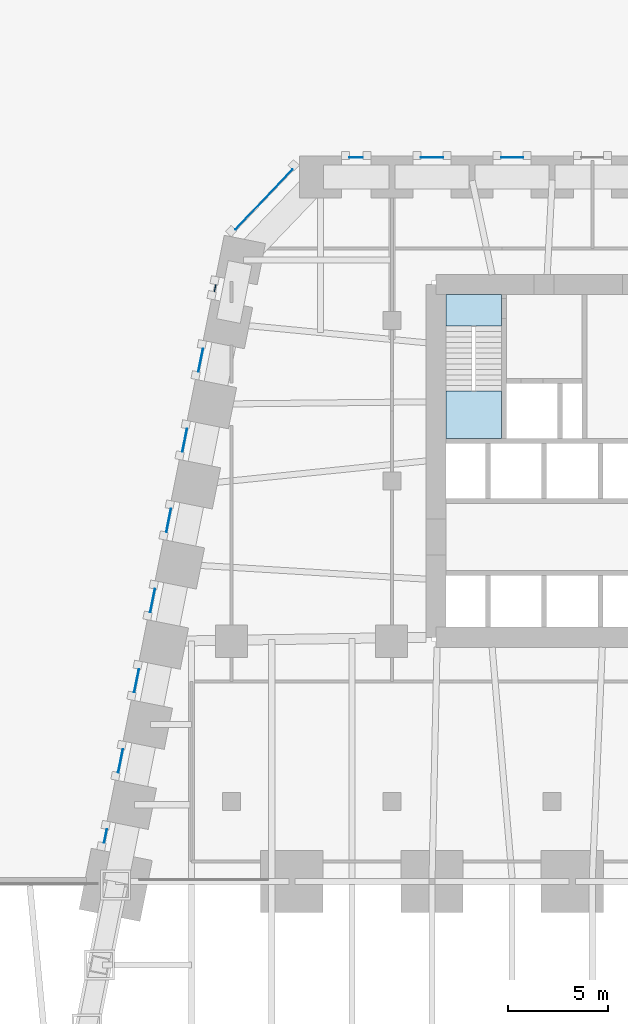
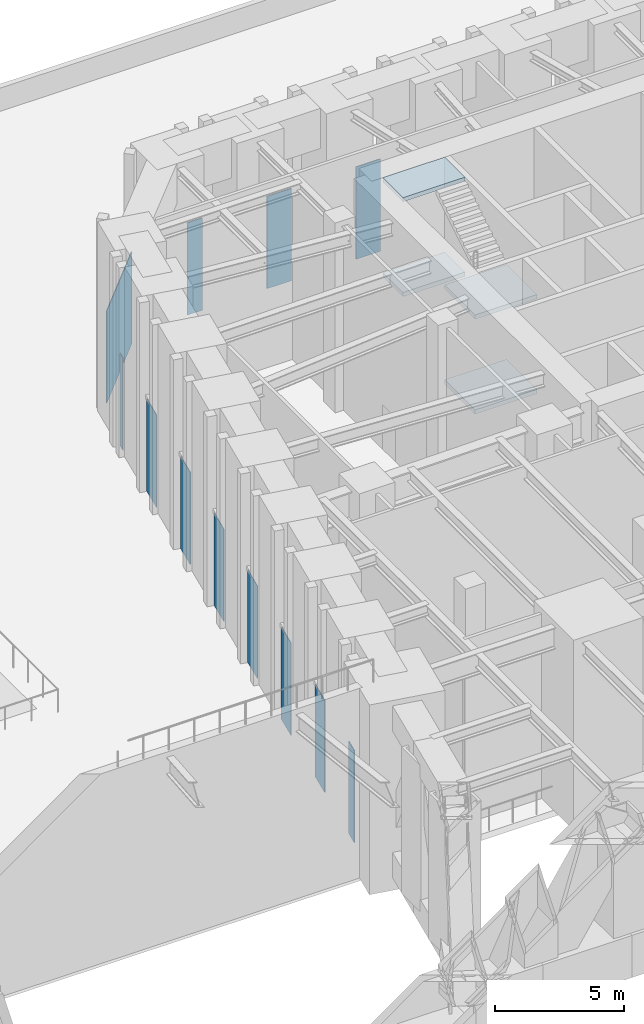
# One storey, part 11 of 20: 12 plates, 4 slabs, 13 elements without a shape of their own.
"""IFC4 building model written with IfcOpenShell, lengths in metres."""

from ifc_helpers import new_model, si_unit, direction, frame, origin, origin_2d, place, context, subcontext, project, spatial, polyline, rectangle, outline, extrude, material, layer, layer_set, type_object, element, aggregate, save


model = new_model("IFC4")

# Units and contexts
model_context = context("Model", 3, precision=1e-05, world=origin(), true_north=direction((0.0, 1.0)))
body_context = subcontext(model_context, "Body", "Model", "MODEL_VIEW")
ifc_project = project(units=[si_unit("LENGTHUNIT", "METRE"), si_unit("AREAUNIT", "SQUARE_METRE"), si_unit("VOLUMEUNIT", "CUBIC_METRE"), si_unit("PLANEANGLEUNIT", "RADIAN"), si_unit("MASSUNIT", "GRAM", prefix="KILO")], contexts=[model_context])

# Site, building, storey
site_placement = place(None, origin())
site = spatial("IfcSite", under=ifc_project, at=site_placement, CompositionType="ELEMENT")
building_placement = place(site_placement, origin())
building = spatial("IfcBuilding", under=site, at=building_placement, Name="Isbrekke Arena Tower", CompositionType="ELEMENT")
storey_placement = place(building_placement, frame((0.0, 0.0, 19.0)))
storey = spatial("IfcBuildingStorey", under=building, at=storey_placement, Name="L03", CompositionType="ELEMENT", Elevation=19.0)

# Curtain wall, plate
ifc_material_1 = material(Name="Glazed aluminium curtain wall", Category="aluminium")
curtain_wall_type = type_object("IfcCurtainWallType", Name="CWR PLANT LOUVRE WALL", PredefinedType="USERDEFINED", material=ifc_material_1)
curtain_wall_1_placement = place(storey_placement, origin())
curtain_wall_1 = element("IfcCurtainWall", 1, at=curtain_wall_1_placement, inside=storey, type_object=curtain_wall_type, Name="CWR curtain wall L03-N29", ObjectType="PLANT LOUVRE WALL", PredefinedType="USERDEFINED")
ifc_material_2 = material(Name="Aluminium louvre", Category="aluminium")
ifc_layer_1 = layer(ifc_material_2, 0.031982421875)
ifc_layer_set_1 = layer_set([ifc_layer_1], Name="CWR-P LOUVRE PANEL")
plate_type = type_object("IfcPlateType", Name="CWR-P LOUVRE PANEL", PredefinedType="CURTAIN_PANEL", material=ifc_layer_set_1)
plate_1_placement = place(storey_placement, frame((-10.0, 30.14990234375, 0.02001953125), z_axis=(0.0, 0.0, 1.0), x_axis=(-1.0, 0.0, 0.0)))
plate_1 = element("IfcPlate", 2, at=plate_1_placement, type_object=plate_type, Name="CWR-P panel 1", PredefinedType="CURTAIN_PANEL", context=body_context, shape_type="SweptSolid", body=[
    extrude(rectangle(XDim=1.10009765625, YDim=0.031982421875, at=origin_2d()), origin(), (0.0, 0.0, 1.0), 4.3798828125),
])
aggregate(curtain_wall_1, [plate_1])

curtain_wall_2_placement = place(storey_placement, origin())
curtain_wall_2 = element("IfcCurtainWall", 3, at=curtain_wall_2_placement, inside=storey, type_object=curtain_wall_type, Name="CWR curtain wall L03-N211", ObjectType="PLANT LOUVRE WALL", PredefinedType="USERDEFINED")
plate_2_placement = place(storey_placement, frame((-14.0, 30.14990234375, 0.02001953125), z_axis=(0.0, 0.0, 1.0), x_axis=(-1.0, 0.0, 0.0)))
plate_2 = element("IfcPlate", 4, at=plate_2_placement, type_object=plate_type, Name="CWR-P panel 1", PredefinedType="CURTAIN_PANEL", context=body_context, shape_type="SweptSolid", body=[
    extrude(rectangle(XDim=1.10009765625, YDim=0.031982421875, at=origin_2d()), origin(), (0.0, 0.0, 1.0), 4.3798828125),
])
aggregate(curtain_wall_2, [plate_2])

curtain_wall_3_placement = place(storey_placement, origin())
curtain_wall_3 = element("IfcCurtainWall", 5, at=curtain_wall_3_placement, inside=storey, type_object=curtain_wall_type, Name="CWR curtain wall L03-N213", ObjectType="PLANT LOUVRE WALL", PredefinedType="USERDEFINED")
plate_3_placement = place(storey_placement, frame((-17.78857421875, 30.14990234375, 0.02001953125), z_axis=(0.0, 0.0, 1.0), x_axis=(-1.0, 0.0, 0.0)))
plate_3 = element("IfcPlate", 6, at=plate_3_placement, type_object=plate_type, Name="CWR-P panel 1", PredefinedType="CURTAIN_PANEL", context=body_context, shape_type="SweptSolid", body=[
    extrude(rectangle(XDim=0.677001953125, YDim=0.031982421875, at=origin_2d()), origin(), (0.0, 0.0, 1.0), 4.3798828125),
])
aggregate(curtain_wall_3, [plate_3])

curtain_wall_4_placement = place(storey_placement, origin())
curtain_wall_4 = element("IfcCurtainWall", 7, at=curtain_wall_4_placement, inside=storey, type_object=curtain_wall_type, Name="CWR curtain wall L03-NW", ObjectType="PLANT LOUVRE WALL", PredefinedType="USERDEFINED")
plate_4_placement = place(storey_placement, frame((-22.39306640625, 28.047119140625, 0.02001953125), z_axis=(0.0, 0.0, 1.0), x_axis=(-0.68874946192, -0.72499943359, 0.0)))
plate_4 = element("IfcPlate", 8, at=plate_4_placement, type_object=plate_type, Name="CWR-P panel 1", PredefinedType="CURTAIN_PANEL", context=body_context, shape_type="SweptSolid", body=[
    extrude(rectangle(XDim=4.13037109375, YDim=0.031982421875, at=origin_2d()), origin(), (0.0, 0.0, 1.0), 4.3798828125),
])
aggregate(curtain_wall_4, [plate_4])

curtain_wall_5_placement = place(storey_placement, origin())
curtain_wall_5 = element("IfcCurtainWall", 9, at=curtain_wall_5_placement, inside=storey, type_object=curtain_wall_type, Name="CWR curtain wall L03-W", ObjectType="PLANT LOUVRE WALL", PredefinedType="USERDEFINED")
plate_5_placement = place(storey_placement, frame((-24.827880859375, 23.6259765625, 0.02001953125), z_axis=(0.0, 0.0, 1.0), x_axis=(-0.196116135138, -0.980580675691, 0.0)))
plate_5 = element("IfcPlate", 10, at=plate_5_placement, type_object=plate_type, Name="CWR-P panel 1", PredefinedType="CURTAIN_PANEL", context=body_context, shape_type="SweptSolid", body=[
    extrude(rectangle(XDim=0.356201171875, YDim=0.031982421875, at=origin_2d()), origin(), (0.0, 0.0, 1.0), 4.3798828125),
])
aggregate(curtain_wall_5, [plate_5])

curtain_wall_6_placement = place(storey_placement, origin())
curtain_wall_6 = element("IfcCurtainWall", 11, at=curtain_wall_6_placement, inside=storey, type_object=curtain_wall_type, Name="CWR curtain wall L03-W3", ObjectType="PLANT LOUVRE WALL", PredefinedType="USERDEFINED")
plate_6_placement = place(storey_placement, frame((-25.547119140625, 20.029296875, 0.02001953125), z_axis=(0.0, 0.0, 1.0), x_axis=(-0.196116135138, -0.980580675691, 0.0)))
plate_6 = element("IfcPlate", 12, at=plate_6_placement, type_object=plate_type, Name="CWR-P panel 1", PredefinedType="CURTAIN_PANEL", context=body_context, shape_type="SweptSolid", body=[
    extrude(rectangle(XDim=1.17919921875, YDim=0.031982421875, at=origin_2d()), origin(), (0.0, 0.0, 1.0), 4.3798828125),
])
aggregate(curtain_wall_6, [plate_6])

curtain_wall_7_placement = place(storey_placement, origin())
curtain_wall_7 = element("IfcCurtainWall", 13, at=curtain_wall_7_placement, inside=storey, type_object=curtain_wall_type, Name="CWR curtain wall L03-W5", ObjectType="PLANT LOUVRE WALL", PredefinedType="USERDEFINED")
plate_7_placement = place(storey_placement, frame((-26.34716796875, 16.029296875, 0.02001953125), z_axis=(0.0, 0.0, 1.0), x_axis=(-0.196116135138, -0.980580675691, 0.0)))
plate_7 = element("IfcPlate", 14, at=plate_7_placement, type_object=plate_type, Name="CWR-P panel 1", PredefinedType="CURTAIN_PANEL", context=body_context, shape_type="SweptSolid", body=[
    extrude(rectangle(XDim=1.17919921875, YDim=0.031982421875, at=origin_2d()), origin(), (0.0, 0.0, 1.0), 4.3798828125),
])
aggregate(curtain_wall_7, [plate_7])

curtain_wall_8_placement = place(storey_placement, origin())
curtain_wall_8 = element("IfcCurtainWall", 15, at=curtain_wall_8_placement, inside=storey, type_object=curtain_wall_type, Name="CWR curtain wall L03-W7", ObjectType="PLANT LOUVRE WALL", PredefinedType="USERDEFINED")
plate_8_placement = place(storey_placement, frame((-27.14697265625, 12.029296875, 0.02001953125), z_axis=(0.0, 0.0, 1.0), x_axis=(-0.196116135138, -0.980580675691, 0.0)))
plate_8 = element("IfcPlate", 16, at=plate_8_placement, type_object=plate_type, Name="CWR-P panel 1", PredefinedType="CURTAIN_PANEL", context=body_context, shape_type="SweptSolid", body=[
    extrude(rectangle(XDim=1.17919921875, YDim=0.031982421875, at=origin_2d()), origin(), (0.0, 0.0, 1.0), 4.3798828125),
])
aggregate(curtain_wall_8, [plate_8])

curtain_wall_9_placement = place(storey_placement, origin())
curtain_wall_9 = element("IfcCurtainWall", 17, at=curtain_wall_9_placement, inside=storey, type_object=curtain_wall_type, Name="CWR curtain wall L03-W9", ObjectType="PLANT LOUVRE WALL", PredefinedType="USERDEFINED")
plate_9_placement = place(storey_placement, frame((-27.947021484375, 8.029296875, 0.02001953125), z_axis=(0.0, 0.0, 1.0), x_axis=(-0.196116135138, -0.980580675691, 0.0)))
plate_9 = element("IfcPlate", 18, at=plate_9_placement, type_object=plate_type, Name="CWR-P panel 1", PredefinedType="CURTAIN_PANEL", context=body_context, shape_type="SweptSolid", body=[
    extrude(rectangle(XDim=1.17919921875, YDim=0.031982421875, at=origin_2d()), origin(), (0.0, 0.0, 1.0), 4.3798828125),
])
aggregate(curtain_wall_9, [plate_9])

curtain_wall_10_placement = place(storey_placement, origin())
curtain_wall_10 = element("IfcCurtainWall", 19, at=curtain_wall_10_placement, inside=storey, type_object=curtain_wall_type, Name="CWR curtain wall L03-W11", ObjectType="PLANT LOUVRE WALL", PredefinedType="USERDEFINED")
plate_10_placement = place(storey_placement, frame((-28.7470703125, 4.029296875, 0.02001953125), z_axis=(0.0, 0.0, 1.0), x_axis=(-0.196116135138, -0.980580675691, 0.0)))
plate_10 = element("IfcPlate", 20, at=plate_10_placement, type_object=plate_type, Name="CWR-P panel 1", PredefinedType="CURTAIN_PANEL", context=body_context, shape_type="SweptSolid", body=[
    extrude(rectangle(XDim=1.17919921875, YDim=0.031982421875, at=origin_2d()), origin(), (0.0, 0.0, 1.0), 4.3798828125),
])
aggregate(curtain_wall_10, [plate_10])

curtain_wall_11_placement = place(storey_placement, origin())
curtain_wall_11 = element("IfcCurtainWall", 21, at=curtain_wall_11_placement, inside=storey, type_object=curtain_wall_type, Name="CWR curtain wall L03-W13", ObjectType="PLANT LOUVRE WALL", PredefinedType="USERDEFINED")
plate_11_placement = place(storey_placement, frame((-29.547119140625, 0.029296875, 0.02001953125), z_axis=(0.0, 0.0, 1.0), x_axis=(-0.196116135138, -0.980580675691, 0.0)))
plate_11 = element("IfcPlate", 22, at=plate_11_placement, type_object=plate_type, Name="CWR-P panel 1", PredefinedType="CURTAIN_PANEL", context=body_context, shape_type="SweptSolid", body=[
    extrude(rectangle(XDim=1.17919921875, YDim=0.031982421875, at=origin_2d()), origin(), (0.0, 0.0, 1.0), 4.3798828125),
])
aggregate(curtain_wall_11, [plate_11])

curtain_wall_12_placement = place(storey_placement, origin())
curtain_wall_12 = element("IfcCurtainWall", 23, at=curtain_wall_12_placement, inside=storey, type_object=curtain_wall_type, Name="CWR curtain wall L03-W15", ObjectType="PLANT LOUVRE WALL", PredefinedType="USERDEFINED")
plate_12_placement = place(storey_placement, frame((-30.29833984375, -3.726318359375, 0.02001953125), z_axis=(0.0, 0.0, 1.0), x_axis=(-0.196116135138, -0.980580675691, 0.0)))
plate_12 = element("IfcPlate", 24, at=plate_12_placement, type_object=plate_type, Name="CWR-P panel 1", PredefinedType="CURTAIN_PANEL", context=body_context, shape_type="SweptSolid", body=[
    extrude(rectangle(XDim=0.68115234375, YDim=0.031982421875, at=origin_2d()), origin(), (0.0, 0.0, 1.0), 4.3798828125),
])
aggregate(curtain_wall_12, [plate_12])

# Stair, slabs
ifc_material_3 = material(Name="Concrete B45 (C45/55) precast", Category="concrete")
stair_type = type_object("IfcStairType", Name="ST90 STAIR 1300 WIDE, 54 RISERS 167", PredefinedType="HALF_TURN_STAIR", material=ifc_material_3)
stair_placement = place(storey_placement, origin())
stair = element("IfcStair", 25, at=stair_placement, inside=storey, type_object=stair_type, Name="ST1 stair L03", PredefinedType="HALF_TURN_STAIR")
ifc_material_4 = material(Name="Concrete B35 (C35/45)", Category="concrete")
ifc_layer_2 = layer(ifc_material_4, 0.199951171875)
ifc_layer_set_2 = layer_set([ifc_layer_2], Name="SL1 STAIR LANDING 200")
slab_type = type_object("IfcSlabType", Name="SL1 STAIR LANDING 200", PredefinedType="LANDING", material=ifc_layer_set_2)
slab_1_placement = place(storey_placement, frame((0.0, 0.0, 2.13330078125)))
slab_1 = element("IfcSlab", 26, at=slab_1_placement, type_object=slab_type, Name="ST1 landing 1", PredefinedType="LANDING", context=body_context, shape_type="SweptSolid", body=[
    extrude(outline(polyline([(-13.300048828125, 16.125), (-10.52490234375, 16.125), (-10.52490234375, 18.489990234375), (-13.300048828125, 18.489990234375), (-13.300048828125, 16.125)])), origin(), (0.0, 0.0, 1.0), 0.199951171875),
])
slab_2_placement = place(storey_placement, frame((0.0, 0.0, 4.300048828125)))
slab_2 = element("IfcSlab", 27, at=slab_2_placement, type_object=slab_type, Name="ST1 landing 2", PredefinedType="LANDING", context=body_context, shape_type="SweptSolid", body=[
    extrude(outline(polyline([(-13.300048828125, 21.72998046875), (-10.52490234375, 21.72998046875), (-10.52490234375, 23.300048828125), (-13.300048828125, 23.300048828125), (-13.300048828125, 21.72998046875)])), origin(), (0.0, 0.0, 1.0), 0.199951171875),
])
slab_3_placement = place(storey_placement, frame((0.0, 0.0, 6.63330078125)))
slab_3 = element("IfcSlab", 28, at=slab_3_placement, type_object=slab_type, Name="ST1 landing 3", PredefinedType="LANDING", context=body_context, shape_type="SweptSolid", body=[
    extrude(outline(polyline([(-13.300048828125, 16.125), (-10.52490234375, 16.125), (-10.52490234375, 18.489990234375), (-13.300048828125, 18.489990234375), (-13.300048828125, 16.125)])), origin(), (0.0, 0.0, 1.0), 0.199951171875),
])
slab_4_placement = place(storey_placement, frame((0.0, 0.0, 8.800048828125)))
slab_4 = element("IfcSlab", 29, at=slab_4_placement, type_object=slab_type, Name="ST1 landing 4", PredefinedType="LANDING", context=body_context, shape_type="SweptSolid", body=[
    extrude(outline(polyline([(-13.300048828125, 21.72998046875), (-10.52490234375, 21.72998046875), (-10.52490234375, 23.300048828125), (-13.300048828125, 23.300048828125), (-13.300048828125, 21.72998046875)])), origin(), (0.0, 0.0, 1.0), 0.199951171875),
])
aggregate(stair, [slab_1, slab_2, slab_3, slab_4])

save(model, "model.ifc")
